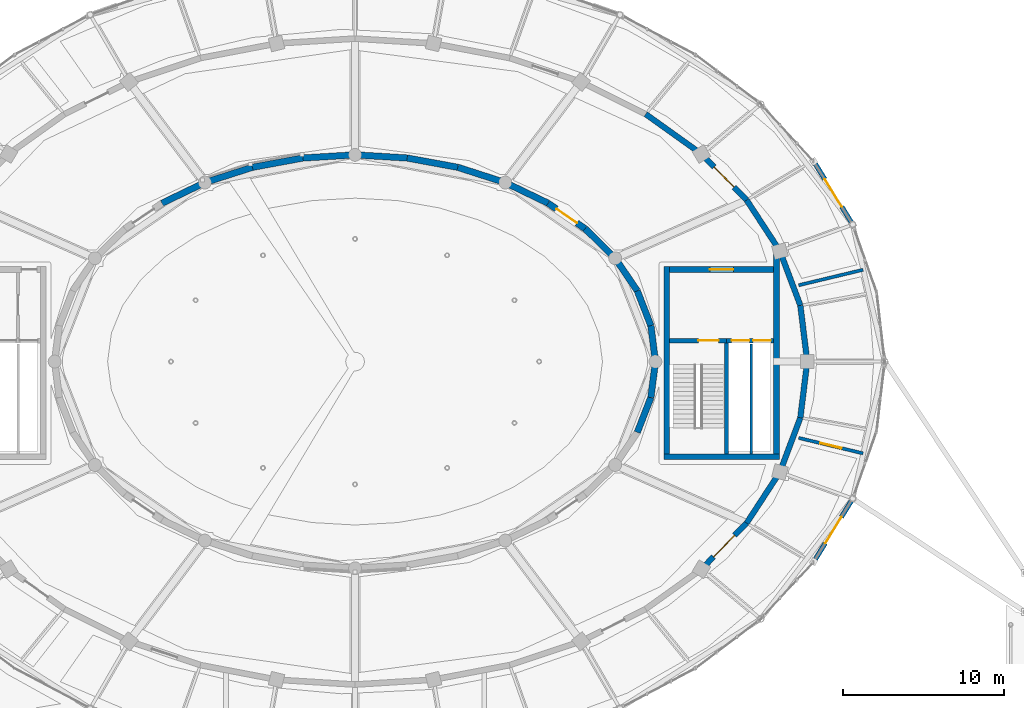
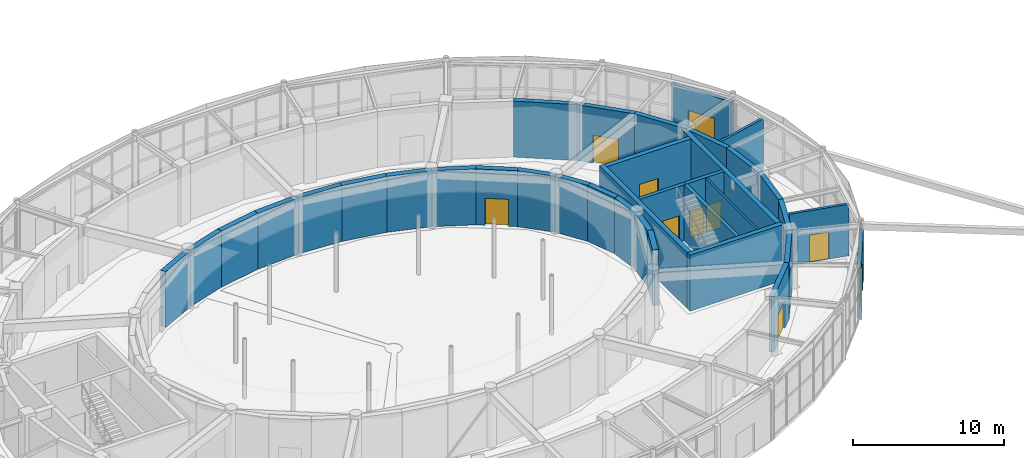
# One storey, part 89 of 108: 36 walls, 10 doors, 10 openings.
"""IFC4 building model written with IfcOpenShell, lengths in metres."""

from ifc_helpers import new_model, si_unit, direction, frame, frame_2d, origin, place, context, subcontext, project, spatial, rectangle, extrude, material, layer, layer_set, type_object, element, fill, save


model = new_model("IFC4")

# Units and contexts
model_context = context("Model", 3, precision=1e-05, world=origin(), true_north=direction((0.0, 1.0)))
body_context = subcontext(model_context, "Body", "Model", "MODEL_VIEW")
ifc_project = project(units=[si_unit("LENGTHUNIT", "METRE"), si_unit("AREAUNIT", "SQUARE_METRE"), si_unit("VOLUMEUNIT", "CUBIC_METRE"), si_unit("PLANEANGLEUNIT", "RADIAN"), si_unit("MASSUNIT", "GRAM", prefix="KILO")], contexts=[model_context])

# Site, building, storey
site_placement = place(None, origin())
site = spatial("IfcSite", under=ifc_project, at=site_placement, CompositionType="ELEMENT")
building_placement = place(site_placement, origin())
building = spatial("IfcBuilding", under=site, at=building_placement, Name="Tarnveldt Headland Concert Hall", CompositionType="ELEMENT")
storey_placement = place(building_placement, origin())
storey = spatial("IfcBuildingStorey", under=building, at=storey_placement, Name="L00", CompositionType="ELEMENT", Elevation=0.0)

# Walls
ifc_material_1 = material(Name="Concrete C40/50", Category="concrete")
ifc_layer_1 = layer(ifc_material_1, 0.39990234375, Name="Concrete C40/50", Category="concrete")
ifc_layer_set_1 = layer_set([ifc_layer_1], Name="Concrete C40/50")
wall_type_1 = type_object("IfcWallType", Name="WL-AC400", PredefinedType="SOLIDWALL", material=ifc_layer_set_1)
wall_1_placement = place(storey_placement, frame((102.10009765625, 54.5, 0.0), z_axis=(0.0, 0.0, 1.0), x_axis=(-0.126180195213, 0.992007337844, 0.0)))
element("IfcWall", 1, at=wall_1_placement, inside=storey, type_object=wall_type_1, Name="Acoustic inner box wall L00-1", PredefinedType="SOLIDWALL", context=body_context, shape_type="SweptSolid", body=[
    extrude(rectangle(XDim=2.240478515625, YDim=0.39990234375, at=frame_2d((1.1201171875, 0.0))), origin(), (0.0, 0.0, 1.0), 4.52001953125),
])
wall_2_placement = place(storey_placement, frame((101.8173828125, 56.72265625, 0.0), z_axis=(0.0, 0.0, 1.0), x_axis=(-0.362802811216, 0.931865934657, 0.0)))
element("IfcWall", 2, at=wall_2_placement, inside=storey, type_object=wall_type_1, Name="Acoustic inner box wall L00-2", PredefinedType="SOLIDWALL", context=body_context, shape_type="SweptSolid", body=[
    extrude(rectangle(XDim=2.312744140625, YDim=0.39990234375, at=frame_2d((1.15625, 0.0))), origin(), (0.0, 0.0, 1.0), 4.52001953125),
])
wall_3_placement = place(storey_placement, frame((100.978271484375, 58.8779296875, 0.0), z_axis=(0.0, 0.0, 1.0), x_axis=(-0.560958648975, 0.827843822312, 0.0)))
element("IfcWall", 3, at=wall_3_placement, inside=storey, type_object=wall_type_1, Name="Acoustic inner box wall L00-3", PredefinedType="SOLIDWALL", context=body_context, shape_type="SweptSolid", body=[
    extrude(rectangle(XDim=2.4423828125, YDim=0.39990234375, at=frame_2d((1.22119140625, 0.0))), origin(), (0.0, 0.0, 1.0), 4.52001953125),
])
wall_4_placement = place(storey_placement, frame((99.608154296875, 60.89990234375, 0.0), z_axis=(0.0, 0.0, 1.0), x_axis=(-0.713212431679, 0.700947949065, 0.0)))
element("IfcWall", 4, at=wall_4_placement, inside=storey, type_object=wall_type_1, Name="Acoustic inner box wall L00-4", PredefinedType="SOLIDWALL", context=body_context, shape_type="SweptSolid", body=[
    extrude(rectangle(XDim=2.607666015625, YDim=0.39990234375, at=frame_2d((1.3037109375, 0.0))), origin(), (0.0, 0.0, 1.0), 4.52001953125),
])

# Wall, opening, door
wall_5_placement = place(storey_placement, frame((97.748291015625, 62.727783203125, 0.0), z_axis=(0.0, 0.0, 1.0), x_axis=(-0.823780742291, 0.566908536388, 0.0)))
wall_5 = element("IfcWall", 5, at=wall_5_placement, inside=storey, type_object=wall_type_1, Name="Acoustic inner box wall L00-5", PredefinedType="SOLIDWALL", context=body_context, shape_type="SweptSolid", body=[
    extrude(rectangle(XDim=2.782958984375, YDim=0.39990234375, at=frame_2d((1.3916015625, 0.0))), origin(), (0.0, 0.0, 1.0), 4.52001953125),
])
opening_1_placement = place(wall_5_placement, frame((0.616455078125, 0.0, 0.0)))
opening_1 = element("IfcOpeningElement", 6, at=opening_1_placement, cuts=wall_5, Name="Opening AD-I029", PredefinedType="OPENING", context=body_context, shape_type="SweptSolid", body=[
    extrude(rectangle(XDim=1.550048828125, YDim=2.179931640625, at=frame_2d((0.77490234375, 1.08984375))), frame((0.0, 0.2099609375, 0.0), z_axis=(0.0, -1.0, 0.0), x_axis=(1.0, 0.0, 0.0)), (0.0, 0.0, 1.0), 0.419921875),
])
ifc_material_2 = material(Name="Treated East African mvule hardwood", Category="wood")
door_type_1 = type_object("IfcDoorType", Name="DR-AC155", OperationType="NOTDEFINED", PredefinedType="DOOR", material=ifc_material_2)
door_1_placement = place(opening_1_placement, origin())
door_1 = element("IfcDoor", 7, at=door_1_placement, inside=storey, type_object=door_type_1, Name="Auditorium sound-lock vomitory door L00-5", OperationType="SINGLE_SWING_LEFT", OverallHeight=2.179931640625, OverallWidth=1.550048828125, PredefinedType="DOOR", context=body_context, shape_type="SweptSolid", body=[
    extrude(rectangle(XDim=1.550048828125, YDim=2.179931640625, at=frame_2d((0.77490234375, 1.08984375))), frame((0.0, 0.02490234375, 0.0), z_axis=(0.0, -1.0, 0.0), x_axis=(1.0, 0.0, 0.0)), (0.0, 0.0, 1.0), 0.050048828125),
])
fill(opening_1, door_1)

# Walls
wall_6_placement = place(storey_placement, frame((95.455810546875, 64.305419921875, 0.0), z_axis=(0.0, 0.0, 1.0), x_axis=(-0.900857755122, 0.434114391648, 0.0)))
element("IfcWall", 8, at=wall_6_placement, inside=storey, type_object=wall_type_1, Name="Acoustic inner box wall L00-6", PredefinedType="SOLIDWALL", context=body_context, shape_type="SweptSolid", body=[
    extrude(rectangle(XDim=2.947998046875, YDim=0.39990234375, at=frame_2d((1.47412109375, 0.0))), origin(), (0.0, 0.0, 1.0), 4.52001953125),
])
wall_7_placement = place(storey_placement, frame((92.800048828125, 65.585205078125, 0.0), z_axis=(0.0, 0.0, 1.0), x_axis=(-0.952183186678, 0.305527705795, 0.0)))
element("IfcWall", 9, at=wall_7_placement, inside=storey, type_object=wall_type_1, Name="Acoustic inner box wall L00-7", PredefinedType="SOLIDWALL", context=body_context, shape_type="SweptSolid", body=[
    extrude(rectangle(XDim=3.0859375, YDim=0.39990234375, at=frame_2d((1.54296875, 0.0))), origin(), (0.0, 0.0, 1.0), 4.52001953125),
])
wall_8_placement = place(storey_placement, frame((89.861572265625, 66.528076171875, 0.0), z_axis=(0.0, 0.0, 1.0), x_axis=(-0.9834240594, 0.18132048807, 0.0)))
element("IfcWall", 10, at=wall_8_placement, inside=storey, type_object=wall_type_1, Name="Acoustic inner box wall L00-8", PredefinedType="SOLIDWALL", context=body_context, shape_type="SweptSolid", body=[
    extrude(rectangle(XDim=3.184326171875, YDim=0.39990234375, at=frame_2d((1.59228515625, 0.0))), origin(), (0.0, 0.0, 1.0), 4.52001953125),
])
for number, where, z_axis, x_axis, name in (
    (11, (86.72998046875, 67.10546875, 0.0), (0.0, 0.0, 1.0), (-0.99819038223, 0.060132859761, 0.0), "Acoustic inner box wall L00-9"),
    (12, (83.5, 67.300048828125, 0.0), (0.0, 0.0, 1.0), (-0.99819038223, -0.060132859761, 0.0), "Acoustic inner box wall L00-10"),
):
    element("IfcWall", number, at=place(storey_placement, frame(where, z_axis=z_axis, x_axis=x_axis)), inside=storey, type_object=wall_type_1, Name=name, PredefinedType="SOLIDWALL", context=body_context, shape_type="SweptSolid", body=[
        extrude(rectangle(XDim=3.23583984375, YDim=0.39990234375, at=frame_2d((1.617919921875, 0.0))), origin(), (0.0, 0.0, 1.0), 4.52001953125),
    ])
wall_9_placement = place(storey_placement, frame((80.27001953125, 67.10546875, 0.0), z_axis=(0.0, 0.0, 1.0), x_axis=(-0.9834240594, -0.18132048807, 0.0)))
element("IfcWall", 13, at=wall_9_placement, inside=storey, type_object=wall_type_1, Name="Acoustic inner box wall L00-11", PredefinedType="SOLIDWALL", context=body_context, shape_type="SweptSolid", body=[
    extrude(rectangle(XDim=3.184326171875, YDim=0.39990234375, at=frame_2d((1.59228515625, 0.0))), origin(), (0.0, 0.0, 1.0), 4.52001953125),
])
wall_10_placement = place(storey_placement, frame((77.138427734375, 66.528076171875, 0.0), z_axis=(0.0, 0.0, 1.0), x_axis=(-0.952183186678, -0.305527705795, 0.0)))
element("IfcWall", 14, at=wall_10_placement, inside=storey, type_object=wall_type_1, Name="Acoustic inner box wall L00-12", PredefinedType="SOLIDWALL", context=body_context, shape_type="SweptSolid", body=[
    extrude(rectangle(XDim=3.0859375, YDim=0.39990234375, at=frame_2d((1.54296875, 0.0))), origin(), (0.0, 0.0, 1.0), 4.52001953125),
])
wall_11_placement = place(storey_placement, frame((74.199951171875, 65.585205078125, 0.0), z_axis=(0.0, 0.0, 1.0), x_axis=(-0.900857755122, -0.434114391648, 0.0)))
element("IfcWall", 15, at=wall_11_placement, inside=storey, type_object=wall_type_1, Name="Acoustic inner box wall L00-13", PredefinedType="SOLIDWALL", context=body_context, shape_type="SweptSolid", body=[
    extrude(rectangle(XDim=2.947998046875, YDim=0.39990234375, at=frame_2d((1.47412109375, 0.0))), origin(), (0.0, 0.0, 1.0), 4.52001953125),
])
wall_12_placement = place(storey_placement, frame((100.978271484375, 50.1220703125, 0.0), z_axis=(0.0, 0.0, 1.0), x_axis=(0.362802811216, 0.931865934657, 0.0)))
element("IfcWall", 16, at=wall_12_placement, inside=storey, type_object=wall_type_1, Name="Acoustic inner box wall L00-35", PredefinedType="SOLIDWALL", context=body_context, shape_type="SweptSolid", body=[
    extrude(rectangle(XDim=2.312744140625, YDim=0.39990234375, at=frame_2d((1.15625, 0.0))), origin(), (0.0, 0.0, 1.0), 4.52001953125),
])
wall_13_placement = place(storey_placement, frame((101.8173828125, 52.27734375, 0.0), z_axis=(0.0, 0.0, 1.0), x_axis=(0.126180195213, 0.992007337844, 0.0)))
element("IfcWall", 17, at=wall_13_placement, inside=storey, type_object=wall_type_1, Name="Acoustic inner box wall L00-36", PredefinedType="SOLIDWALL", context=body_context, shape_type="SweptSolid", body=[
    extrude(rectangle(XDim=2.240478515625, YDim=0.39990234375, at=frame_2d((1.1201171875, 0.0))), origin(), (0.0, 0.0, 1.0), 4.52001953125),
])
ifc_layer_2 = layer(ifc_material_1, 0.35009765625, Name="Concrete C40/50", Category="concrete")
ifc_layer_set_2 = layer_set([ifc_layer_2], Name="Concrete C40/50")
wall_type_2 = type_object("IfcWallType", Name="WL-CR350", PredefinedType="SHEAR", material=ifc_layer_set_2)
wall_14_placement = place(storey_placement, frame((111.5, 54.5, 0.0), z_axis=(0.0, 0.0, 1.0), x_axis=(-0.121552414401, 0.99258501427, 0.0)))
element("IfcWall", 18, at=wall_14_placement, inside=storey, type_object=wall_type_2, Name="Symphony drum shear wall L00-1", PredefinedType="SHEAR", context=body_context, shape_type="SweptSolid", body=[
    extrude(rectangle(XDim=3.498779296875, YDim=0.35009765625, at=frame_2d((1.74951171875, 0.0))), origin(), (0.0, 0.0, 1.0), 4.52001953125),
])
wall_15_placement = place(storey_placement, frame((111.07470703125, 57.972900390625, 0.0), z_axis=(0.0, 0.0, 1.0), x_axis=(-0.351279653979, 0.936270583058, 0.0)))
element("IfcWall", 19, at=wall_15_placement, inside=storey, type_object=wall_type_2, Name="Symphony drum shear wall L00-2", PredefinedType="SHEAR", context=body_context, shape_type="SweptSolid", body=[
    extrude(rectangle(XDim=3.5966796875, YDim=0.35009765625, at=frame_2d((1.79833984375, 0.0))), origin(), (0.0, 0.0, 1.0), 4.52001953125),
])
wall_16_placement = place(storey_placement, frame((109.811279296875, 61.34033203125, 0.0), z_axis=(0.0, 0.0, 1.0), x_axis=(-0.546611158382, 0.837386554425, 0.0)))
element("IfcWall", 20, at=wall_16_placement, inside=storey, type_object=wall_type_2, Name="Symphony drum shear wall L00-3", PredefinedType="SHEAR", context=body_context, shape_type="SweptSolid", body=[
    extrude(rectangle(XDim=3.773193359375, YDim=0.35009765625, at=frame_2d((1.88671875, 0.0))), origin(), (0.0, 0.0, 1.0), 4.52001953125),
])

# Wall, opening, door
wall_17_placement = place(storey_placement, frame((107.748779296875, 64.5, 0.0), z_axis=(0.0, 0.0, 1.0), x_axis=(-0.700051268358, 0.714092586203, 0.0)))
wall_17 = element("IfcWall", 21, at=wall_17_placement, inside=storey, type_object=wall_type_2, Name="Symphony drum shear wall L00-4", PredefinedType="SHEAR", context=body_context, shape_type="SweptSolid", body=[
    extrude(rectangle(XDim=3.9990234375, YDim=0.35009765625, at=frame_2d((1.99951171875, 0.0))), origin(), (0.0, 0.0, 1.0), 4.52001953125),
])
opening_2_placement = place(wall_17_placement, frame((1.12451171875, 0.0, 0.0)))
opening_2 = element("IfcOpeningElement", 22, at=opening_2_placement, cuts=wall_17, Name="Opening AD-O005", PredefinedType="OPENING", context=body_context, shape_type="SweptSolid", body=[
    extrude(rectangle(XDim=1.75, YDim=2.25, at=frame_2d((0.875, 1.125))), frame((0.0, 0.18505859375, 0.0), z_axis=(0.0, -1.0, 0.0), x_axis=(1.0, 0.0, 0.0)), (0.0, 0.0, 1.0), 0.3701171875),
])
door_type_2 = type_object("IfcDoorType", Name="DR-AC175", OperationType="NOTDEFINED", PredefinedType="DOOR", material=ifc_material_2)
door_2_placement = place(opening_2_placement, origin())
door_2 = element("IfcDoor", 23, at=door_2_placement, inside=storey, type_object=door_type_2, Name="Drum concourse acoustic door L00-4", OperationType="SINGLE_SWING_LEFT", OverallHeight=2.25, OverallWidth=1.75, PredefinedType="DOOR", context=body_context, shape_type="SweptSolid", body=[
    extrude(rectangle(XDim=1.75, YDim=2.25, at=frame_2d((0.875, 1.125))), frame((0.0, 0.02490234375, 0.0), z_axis=(0.0, -1.0, 0.0), x_axis=(1.0, 0.0, 0.0)), (0.0, 0.0, 1.0), 0.050048828125),
])
fill(opening_2, door_2)

# Wall
wall_18_placement = place(storey_placement, frame((104.94921875, 67.355712890625, 0.0), z_axis=(0.0, 0.0, 1.0), x_axis=(-0.813737360708, 0.581232748378, 0.0)))
element("IfcWall", 24, at=wall_18_placement, inside=storey, type_object=wall_type_2, Name="Symphony drum shear wall L00-5", PredefinedType="SHEAR", context=body_context, shape_type="SweptSolid", body=[
    extrude(rectangle(XDim=4.2412109375, YDim=0.35009765625, at=frame_2d((2.12060546875, 0.0))), origin(), (0.0, 0.0, 1.0), 4.52001953125),
])

# Wall, opening, door
wall_19_placement = place(storey_placement, frame((104.94921875, 41.644287109375, 0.0), z_axis=(0.0, 0.0, 1.0), x_axis=(0.700051268358, 0.714092586203, 0.0)))
wall_19 = element("IfcWall", 25, at=wall_19_placement, inside=storey, type_object=wall_type_2, Name="Symphony drum shear wall L00-33", PredefinedType="SHEAR", context=body_context, shape_type="SweptSolid", body=[
    extrude(rectangle(XDim=3.9990234375, YDim=0.35009765625, at=frame_2d((1.99951171875, 0.0))), origin(), (0.0, 0.0, 1.0), 4.52001953125),
])
opening_3_placement = place(wall_19_placement, frame((1.074462890625, 0.0, 0.0)))
opening_3 = element("IfcOpeningElement", 26, at=opening_3_placement, cuts=wall_19, Name="Opening AD-O012", PredefinedType="OPENING", context=body_context, shape_type="SweptSolid", body=[
    extrude(rectangle(XDim=1.85009765625, YDim=2.300048828125, at=frame_2d((0.925048828125, 1.14990234375))), frame((0.0, 0.18505859375, 0.0), z_axis=(0.0, -1.0, 0.0), x_axis=(1.0, 0.0, 0.0)), (0.0, 0.0, 1.0), 0.3701171875),
])
door_type_3 = type_object("IfcDoorType", Name="DR-AC185", OperationType="NOTDEFINED", PredefinedType="DOOR", material=ifc_material_2)
door_3_placement = place(opening_3_placement, origin())
door_3 = element("IfcDoor", 27, at=door_3_placement, inside=storey, type_object=door_type_3, Name="Drum concourse acoustic door L00-33", OperationType="SINGLE_SWING_RIGHT", OverallHeight=2.300048828125, OverallWidth=1.85009765625, PredefinedType="DOOR", context=body_context, shape_type="SweptSolid", body=[
    extrude(rectangle(XDim=1.85009765625, YDim=2.300048828125, at=frame_2d((0.925048828125, 1.14990234375))), frame((0.0, 0.02490234375, 0.0), z_axis=(0.0, -1.0, 0.0), x_axis=(1.0, 0.0, 0.0)), (0.0, 0.0, 1.0), 0.050048828125),
])
fill(opening_3, door_3)

# Walls
wall_20_placement = place(storey_placement, frame((107.748779296875, 44.5, 0.0), z_axis=(0.0, 0.0, 1.0), x_axis=(0.546611158382, 0.837386554425, 0.0)))
element("IfcWall", 28, at=wall_20_placement, inside=storey, type_object=wall_type_2, Name="Symphony drum shear wall L00-34", PredefinedType="SHEAR", context=body_context, shape_type="SweptSolid", body=[
    extrude(rectangle(XDim=3.773193359375, YDim=0.35009765625, at=frame_2d((1.88671875, 0.0))), origin(), (0.0, 0.0, 1.0), 4.52001953125),
])
wall_21_placement = place(storey_placement, frame((109.811279296875, 47.65966796875, 0.0), z_axis=(0.0, 0.0, 1.0), x_axis=(0.351279653979, 0.936270583058, 0.0)))
element("IfcWall", 29, at=wall_21_placement, inside=storey, type_object=wall_type_2, Name="Symphony drum shear wall L00-35", PredefinedType="SHEAR", context=body_context, shape_type="SweptSolid", body=[
    extrude(rectangle(XDim=3.5966796875, YDim=0.35009765625, at=frame_2d((1.79833984375, 0.0))), origin(), (0.0, 0.0, 1.0), 4.52001953125),
])
wall_22_placement = place(storey_placement, frame((111.07470703125, 51.027099609375, 0.0), z_axis=(0.0, 0.0, 1.0), x_axis=(0.121552414401, 0.99258501427, 0.0)))
element("IfcWall", 30, at=wall_22_placement, inside=storey, type_object=wall_type_2, Name="Symphony drum shear wall L00-36", PredefinedType="SHEAR", context=body_context, shape_type="SweptSolid", body=[
    extrude(rectangle(XDim=3.498779296875, YDim=0.35009765625, at=frame_2d((1.74951171875, 0.0))), origin(), (0.0, 0.0, 1.0), 4.52001953125),
])
wall_23_placement = place(storey_placement, frame((102.625, 48.60009765625, 0.0), z_axis=(0.0, 0.0, 1.0), x_axis=(1.0, 0.0, 0.0)))
element("IfcWall", 31, at=wall_23_placement, inside=storey, type_object=wall_type_2, Name="Core C2 south shear wall L00", PredefinedType="SHEAR", context=body_context, shape_type="SweptSolid", body=[
    extrude(rectangle(XDim=7.14990234375, YDim=0.35009765625, at=frame_2d((3.574951171875, 0.0))), origin(), (0.0, 0.0, 1.0), 4.52001953125),
])

# Wall, opening, door
wall_24_placement = place(storey_placement, frame((102.97509765625, 60.199951171875, 0.0), z_axis=(0.0, 0.0, 1.0), x_axis=(1.0, 0.0, 0.0)))
wall_24 = element("IfcWall", 32, at=wall_24_placement, inside=storey, type_object=wall_type_2, Name="Core C2 north shear wall L00", PredefinedType="SHEAR", context=body_context, shape_type="SweptSolid", body=[
    extrude(rectangle(XDim=6.449951171875, YDim=0.35009765625, at=frame_2d((3.22509765625, 0.0))), origin(), (0.0, 0.0, 1.0), 4.52001953125),
])
opening_4_placement = place(wall_24_placement, frame((2.5, 0.0, 0.0)))
opening_4 = element("IfcOpeningElement", 33, at=opening_4_placement, cuts=wall_24, Name="Opening LBD-C2-L00", PredefinedType="OPENING", context=body_context, shape_type="SweptSolid", body=[
    extrude(rectangle(XDim=1.449951171875, YDim=2.199951171875, at=frame_2d((0.72509765625, 1.10009765625))), frame((0.0, 0.18505859375, 0.0), z_axis=(0.0, -1.0, 0.0), x_axis=(1.0, 0.0, 0.0)), (0.0, 0.0, 1.0), 0.3701171875),
])
ifc_material_3 = material(Name="Galvanised painted steel sheet", Category="steel")
door_type_4 = type_object("IfcDoorType", Name="DR-LB145", OperationType="NOTDEFINED", PredefinedType="DOOR", material=ifc_material_3)
door_4_placement = place(opening_4_placement, origin())
door_4 = element("IfcDoor", 34, at=door_4_placement, inside=storey, type_object=door_type_4, Name="Core C2 lobby entrance door L00", OperationType="SINGLE_SWING_LEFT", OverallHeight=2.199951171875, OverallWidth=1.449951171875, PredefinedType="DOOR", context=body_context, shape_type="SweptSolid", body=[
    extrude(rectangle(XDim=1.449951171875, YDim=2.199951171875, at=frame_2d((0.72509765625, 1.10009765625))), frame((0.0, 0.02490234375, 0.0), z_axis=(0.0, -1.0, 0.0), x_axis=(1.0, 0.0, 0.0)), (0.0, 0.0, 1.0), 0.050048828125),
])
fill(opening_4, door_4)

# Walls
wall_25_placement = place(storey_placement, frame((102.800048828125, 48.77490234375, 0.0), z_axis=(0.0, 0.0, 1.0), x_axis=(0.0, 1.0, 0.0)))
element("IfcWall", 35, at=wall_25_placement, inside=storey, type_object=wall_type_2, Name="Core C2 west shear wall L00", PredefinedType="SHEAR", context=body_context, shape_type="SweptSolid", body=[
    extrude(rectangle(XDim=11.60009765625, YDim=0.35009765625, at=frame_2d((5.800048828125, 0.0))), origin(), (0.0, 0.0, 1.0), 4.52001953125),
])
wall_26_placement = place(storey_placement, frame((109.60009765625, 48.77490234375, 0.0), z_axis=(0.0, 0.0, 1.0), x_axis=(0.0, 1.0, 0.0)))
element("IfcWall", 36, at=wall_26_placement, inside=storey, type_object=wall_type_2, Name="Core C2 east shear wall L00", PredefinedType="SHEAR", context=body_context, shape_type="SweptSolid", body=[
    extrude(rectangle(XDim=12.565185546875, YDim=0.35009765625, at=frame_2d((6.28271484375, 0.0))), origin(), (0.0, 0.0, 1.0), 4.52001953125),
])

# Wall, opening, door
ifc_material_4 = material(Name="Coral-toned precast concrete C40/50", Category="concrete")
ifc_layer_3 = layer(ifc_material_4, 0.300048828125, Name="Coral-toned precast concrete C40/50", Category="concrete")
ifc_layer_set_3 = layer_set([ifc_layer_3], Name="Coral-toned precast concrete C40/50")
wall_type_3 = type_object("IfcWallType", Name="WL-EX300", PredefinedType="SOLIDWALL", material=ifc_layer_set_3)
wall_27_placement = place(storey_placement, frame((111.916015625, 66.883056640625, 0.0), z_axis=(0.0, 0.0, 1.0), x_axis=(0.524906145614, -0.851160113197, 0.0)))
wall_27 = element("IfcWall", 37, at=wall_27_placement, inside=storey, type_object=wall_type_3, Name="External precast wall L00-37", PredefinedType="SOLIDWALL", context=body_context, shape_type="SweptSolid", body=[
    extrude(rectangle(XDim=4.563232421875, YDim=0.300048828125, at=frame_2d((2.28173828125, 0.0))), origin(), (0.0, 0.0, 1.0), 4.05810546875),
])
opening_5_placement = place(wall_27_placement, frame((1.281494140625, 0.0, 0.0)))
opening_5 = element("IfcOpeningElement", 38, at=opening_5_placement, cuts=wall_27, Name="Opening EX-01", PredefinedType="OPENING", context=body_context, shape_type="SweptSolid", body=[
    extrude(rectangle(XDim=2.0, YDim=2.300048828125, at=frame_2d((1.0, 1.14990234375))), frame((0.0, 0.159912109375, 0.0), z_axis=(0.0, -1.0, 0.0), x_axis=(1.0, 0.0, 0.0)), (0.0, 0.0, 1.0), 0.320068359375),
])
ifc_material_5 = material(Name="Marine-anodised aluminium EN AW-6063-T6", Category="aluminium")
door_type_5 = type_object("IfcDoorType", Name="DR-EX200", OperationType="NOTDEFINED", PredefinedType="DOOR", material=ifc_material_5)
door_5_placement = place(opening_5_placement, origin())
door_5 = element("IfcDoor", 39, at=door_5_placement, inside=storey, type_object=door_type_5, Name="Foyer final exit door EX-01", OperationType="DOUBLE_DOOR_SINGLE_SWING", OverallHeight=2.300048828125, OverallWidth=2.0, PredefinedType="DOOR", context=body_context, shape_type="SweptSolid", body=[
    extrude(rectangle(XDim=2.0, YDim=2.300048828125, at=frame_2d((1.0, 1.14990234375))), frame((0.0, 0.02490234375, 0.0), z_axis=(0.0, -1.0, 0.0), x_axis=(1.0, 0.0, 0.0)), (0.0, 0.0, 1.0), 0.050048828125),
])
fill(opening_5, door_5)

wall_28_placement = place(storey_placement, frame((114.311279296875, 46.0009765625, 0.0), z_axis=(0.0, 0.0, 1.0), x_axis=(-0.524906145614, -0.851160113197, 0.0)))
wall_28 = element("IfcWall", 40, at=wall_28_placement, inside=storey, type_object=wall_type_3, Name="External precast wall L00-44", PredefinedType="SOLIDWALL", context=body_context, shape_type="SweptSolid", body=[
    extrude(rectangle(XDim=4.563232421875, YDim=0.300048828125, at=frame_2d((2.28173828125, 0.0))), origin(), (0.0, 0.0, 1.0), 4.01806640625),
])
opening_6_placement = place(wall_28_placement, frame((1.33154296875, 0.0, 0.0)))
opening_6 = element("IfcOpeningElement", 41, at=opening_6_placement, cuts=wall_28, Name="Opening EX-08", PredefinedType="OPENING", context=body_context, shape_type="SweptSolid", body=[
    extrude(rectangle(XDim=1.89990234375, YDim=2.300048828125, at=frame_2d((0.949951171875, 1.14990234375))), frame((0.0, 0.159912109375, 0.0), z_axis=(0.0, -1.0, 0.0), x_axis=(1.0, 0.0, 0.0)), (0.0, 0.0, 1.0), 0.320068359375),
])
door_type_6 = type_object("IfcDoorType", Name="DR-EX190", OperationType="NOTDEFINED", PredefinedType="DOOR", material=ifc_material_5)
door_6_placement = place(opening_6_placement, origin())
door_6 = element("IfcDoor", 42, at=door_6_placement, inside=storey, type_object=door_type_6, Name="Foyer final exit door EX-08", OperationType="DOUBLE_DOOR_SINGLE_SWING", OverallHeight=2.300048828125, OverallWidth=1.89990234375, PredefinedType="DOOR", context=body_context, shape_type="SweptSolid", body=[
    extrude(rectangle(XDim=1.89990234375, YDim=2.300048828125, at=frame_2d((0.949951171875, 1.14990234375))), frame((0.0, 0.02490234375, 0.0), z_axis=(0.0, -1.0, 0.0), x_axis=(1.0, 0.0, 0.0)), (0.0, 0.0, 1.0), 0.050048828125),
])
fill(opening_6, door_6)

# Wall
ifc_material_6 = material(Name="Acoustic multi-layer gypsum and mineral-wool partition", Category="gypsum")
ifc_layer_4 = layer(ifc_material_6, 0.14990234375, Name="Acoustic multi-layer gypsum and mineral-wool partition", Category="gypsum")
ifc_layer_set_4 = layer_set([ifc_layer_4], Name="Acoustic multi-layer gypsum and mineral-wool partition")
wall_type_4 = type_object("IfcWallType", Name="WL-PT150", PredefinedType="PARTITIONING", material=ifc_layer_set_4)
wall_29_placement = place(storey_placement, frame((108.032470703125, 48.77490234375, 0.0), z_axis=(0.0, 0.0, 1.0), x_axis=(0.0, 1.0, 0.0)))
element("IfcWall", 43, at=wall_29_placement, inside=storey, type_object=wall_type_4, Name="Core C2 twin lift divider L00", PredefinedType="PARTITIONING", context=body_context, shape_type="SweptSolid", body=[
    extrude(rectangle(XDim=6.8251953125, YDim=0.14990234375, at=frame_2d((3.41259765625, 0.0))), origin(), (0.0, 0.0, 1.0), 4.513916015625),
])

# Wall, opening, door
ifc_layer_5 = layer(ifc_material_6, 0.199951171875, Name="Acoustic multi-layer gypsum and mineral-wool partition", Category="gypsum")
ifc_layer_set_5 = layer_set([ifc_layer_5], Name="Acoustic multi-layer gypsum and mineral-wool partition")
wall_type_5 = type_object("IfcWallType", Name="WL-PT200", PredefinedType="PARTITIONING", material=ifc_layer_set_5)
wall_30_placement = place(storey_placement, frame((110.969482421875, 49.772705078125, 0.0), z_axis=(0.0, 0.0, 1.0), x_axis=(0.972376490879, -0.233417994136, 0.0)))
wall_30 = element("IfcWall", 44, at=wall_30_placement, inside=storey, type_object=wall_type_5, Name="Interior acoustic partition L00-238", PredefinedType="PARTITIONING", context=body_context, shape_type="SweptSolid", body=[
    extrude(rectangle(XDim=4.10009765625, YDim=0.199951171875, at=frame_2d((2.050048828125, 0.0))), origin(), (0.0, 0.0, 1.0), 4.159912109375),
])
opening_7_placement = place(wall_30_placement, frame((1.375, 0.0, 0.0)))
opening_7 = element("IfcOpeningElement", 45, at=opening_7_placement, cuts=wall_30, Name="Opening D-L00-235", PredefinedType="OPENING", context=body_context, shape_type="SweptSolid", body=[
    extrude(rectangle(XDim=1.35009765625, YDim=2.199951171875, at=frame_2d((0.675048828125, 1.10009765625))), frame((0.0, 0.10986328125, 0.0), z_axis=(0.0, -1.0, 0.0), x_axis=(1.0, 0.0, 0.0)), (0.0, 0.0, 1.0), 0.219970703125),
])
door_type_7 = type_object("IfcDoorType", Name="DR-FF135", OperationType="NOTDEFINED", PredefinedType="DOOR", material=ifc_material_3)
door_7_placement = place(opening_7_placement, origin())
door_7 = element("IfcDoor", 46, at=door_7_placement, inside=storey, type_object=door_type_7, Name="Interior room door L00-235", OperationType="SINGLE_SWING_LEFT", OverallHeight=2.199951171875, OverallWidth=1.35009765625, PredefinedType="DOOR", context=body_context, shape_type="SweptSolid", body=[
    extrude(rectangle(XDim=1.35009765625, YDim=2.199951171875, at=frame_2d((0.675048828125, 1.10009765625))), frame((0.0, 0.02490234375, 0.0), z_axis=(0.0, -1.0, 0.0), x_axis=(1.0, 0.0, 0.0)), (0.0, 0.0, 1.0), 0.050048828125),
])
fill(opening_7, door_7)

# Walls
wall_31_placement = place(storey_placement, frame((110.969482421875, 59.227294921875, 0.0), z_axis=(0.0, 0.0, 1.0), x_axis=(0.972376490879, 0.233417994136, 0.0)))
element("IfcWall", 47, at=wall_31_placement, inside=storey, type_object=wall_type_5, Name="Interior acoustic partition L00-239", PredefinedType="PARTITIONING", context=body_context, shape_type="SweptSolid", body=[
    extrude(rectangle(XDim=4.10009765625, YDim=0.199951171875, at=frame_2d((2.050048828125, 0.0))), origin(), (0.0, 0.0, 1.0), 4.159912109375),
])
ifc_layer_6 = layer(ifc_material_1, 0.27490234375, Name="Concrete C40/50", Category="concrete")
ifc_layer_set_6 = layer_set([ifc_layer_6], Name="Concrete C40/50")
wall_type_6 = type_object("IfcWallType", Name="WL-SH275", PredefinedType="SHEAR", material=ifc_layer_set_6)
wall_32_placement = place(storey_placement, frame((106.5, 48.77490234375, 0.0), z_axis=(0.0, 0.0, 1.0), x_axis=(0.0, 1.0, 0.0)))
element("IfcWall", 48, at=wall_32_placement, inside=storey, type_object=wall_type_6, Name="Core C2 shaft divider wall L00", PredefinedType="SHEAR", context=body_context, shape_type="SweptSolid", body=[
    extrude(rectangle(XDim=6.8876953125, YDim=0.27490234375, at=frame_2d((3.44384765625, 0.0))), origin(), (0.0, 0.0, 1.0), 4.52001953125),
])

# Wall, opening, door
wall_33_placement = place(storey_placement, frame((102.97509765625, 55.800048828125, 0.0), z_axis=(0.0, 0.0, 1.0), x_axis=(1.0, 0.0, 0.0)))
wall_33 = element("IfcWall", 49, at=wall_33_placement, inside=storey, type_object=wall_type_6, Name="Core C2 stair enclosure wall L00", PredefinedType="SHEAR", context=body_context, shape_type="SweptSolid", body=[
    extrude(rectangle(XDim=3.52490234375, YDim=0.27490234375, at=frame_2d((1.762451171875, 0.0))), origin(), (0.0, 0.0, 1.0), 4.52001953125),
])
opening_8_placement = place(wall_33_placement, frame((1.784912109375, 0.0, 0.0)))
opening_8 = element("IfcOpeningElement", 50, at=opening_8_placement, cuts=wall_33, Name="Opening SD-C2-L00", PredefinedType="OPENING", context=body_context, shape_type="SweptSolid", body=[
    extrude(rectangle(XDim=1.25, YDim=2.14990234375, at=frame_2d((0.625, 1.074951171875))), frame((0.0, 0.1474609375, 0.0), z_axis=(0.0, -1.0, 0.0), x_axis=(1.0, 0.0, 0.0)), (0.0, 0.0, 1.0), 0.294921875),
])
door_type_8 = type_object("IfcDoorType", Name="DR-ST125", OperationType="NOTDEFINED", PredefinedType="DOOR", material=ifc_material_3)
door_8_placement = place(opening_8_placement, origin())
door_8 = element("IfcDoor", 51, at=door_8_placement, inside=storey, type_object=door_type_8, Name="Core C2 stair fire door L00", OperationType="SINGLE_SWING_RIGHT", OverallHeight=2.14990234375, OverallWidth=1.25, PredefinedType="DOOR", context=body_context, shape_type="SweptSolid", body=[
    extrude(rectangle(XDim=1.25, YDim=2.14990234375, at=frame_2d((0.625, 1.074951171875))), frame((0.0, 0.02490234375, 0.0), z_axis=(0.0, -1.0, 0.0), x_axis=(1.0, 0.0, 0.0)), (0.0, 0.0, 1.0), 0.050048828125),
])
fill(opening_8, door_8)

# Wall, openings, doors
wall_34_placement = place(storey_placement, frame((106.5, 55.800048828125, 0.0), z_axis=(0.0, 0.0, 1.0), x_axis=(1.0, 0.0, 0.0)))
wall_34 = element("IfcWall", 52, at=wall_34_placement, inside=storey, type_object=wall_type_6, Name="Core C2 lift shaft front wall L00", PredefinedType="SHEAR", context=body_context, shape_type="SweptSolid", body=[
    extrude(rectangle(XDim=2.925048828125, YDim=0.27490234375, at=frame_2d((1.46240234375, 0.0))), origin(), (0.0, 0.0, 1.0), 4.52001953125),
])
opening_9_placement = place(wall_34_placement, frame((0.320068359375, 0.0, 0.0)))
opening_9 = element("IfcOpeningElement", 53, at=opening_9_placement, cuts=wall_34, Name="Opening LD-LP-02-L00", PredefinedType="OPENING", context=body_context, shape_type="SweptSolid", body=[
    extrude(rectangle(XDim=1.10009765625, YDim=2.14990234375, at=frame_2d((0.550048828125, 1.074951171875))), frame((0.0, 0.1474609375, 0.0), z_axis=(0.0, -1.0, 0.0), x_axis=(1.0, 0.0, 0.0)), (0.0, 0.0, 1.0), 0.294921875),
])
opening_10_placement = place(wall_34_placement, frame((1.64501953125, 0.0, 0.0)))
opening_10 = element("IfcOpeningElement", 54, at=opening_10_placement, cuts=wall_34, Name="Opening LD-LP-03-L00", PredefinedType="OPENING", context=body_context, shape_type="SweptSolid", body=[
    extrude(rectangle(XDim=1.10009765625, YDim=2.14990234375, at=frame_2d((0.550048828125, 1.074951171875))), frame((0.0, 0.1474609375, 0.0), z_axis=(0.0, -1.0, 0.0), x_axis=(1.0, 0.0, 0.0)), (0.0, 0.0, 1.0), 0.294921875),
])
door_type_9 = type_object("IfcDoorType", Name="LD-110", OperationType="NOTDEFINED", PredefinedType="DOOR", material=ifc_material_3)
door_9_placement = place(opening_9_placement, origin())
door_9 = element("IfcDoor", 55, at=door_9_placement, inside=storey, type_object=door_type_9, Name="Lift LP-02 sliding landing door L00", OperationType="DOUBLE_DOOR_SLIDING", OverallHeight=2.14990234375, OverallWidth=1.10009765625, PredefinedType="DOOR", context=body_context, shape_type="SweptSolid", body=[
    extrude(rectangle(XDim=1.10009765625, YDim=2.14990234375, at=frame_2d((0.550048828125, 1.074951171875))), frame((0.0, 0.02490234375, 0.0), z_axis=(0.0, -1.0, 0.0), x_axis=(1.0, 0.0, 0.0)), (0.0, 0.0, 1.0), 0.050048828125),
])
fill(opening_9, door_9)
door_10_placement = place(opening_10_placement, origin())
door_10 = element("IfcDoor", 56, at=door_10_placement, inside=storey, type_object=door_type_9, Name="Lift LP-03 sliding landing door L00", OperationType="DOUBLE_DOOR_SLIDING", OverallHeight=2.14990234375, OverallWidth=1.10009765625, PredefinedType="DOOR", context=body_context, shape_type="SweptSolid", body=[
    extrude(rectangle(XDim=1.10009765625, YDim=2.14990234375, at=frame_2d((0.550048828125, 1.074951171875))), frame((0.0, 0.02490234375, 0.0), z_axis=(0.0, -1.0, 0.0), x_axis=(1.0, 0.0, 0.0)), (0.0, 0.0, 1.0), 0.050048828125),
])
fill(opening_10, door_10)

save(model, "model.ifc")
